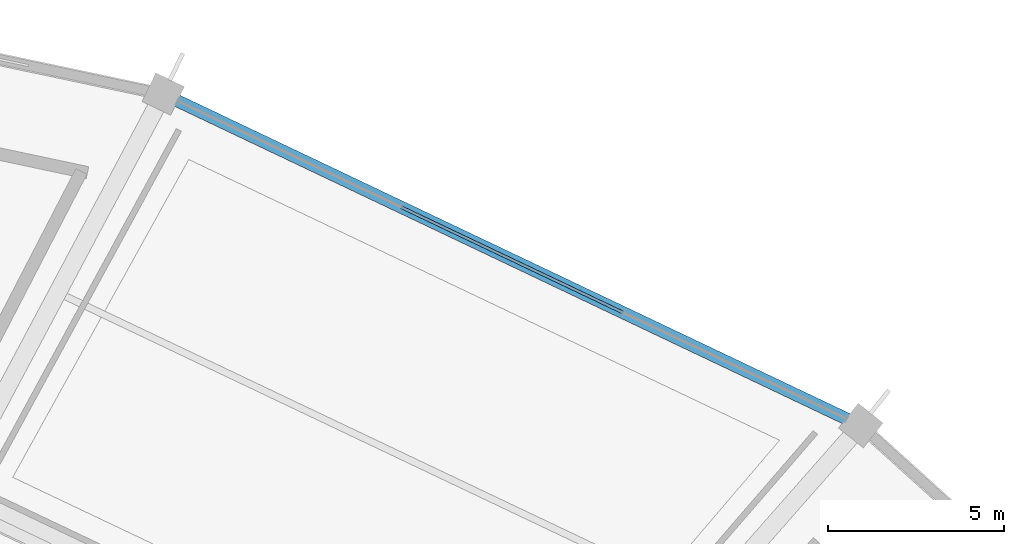
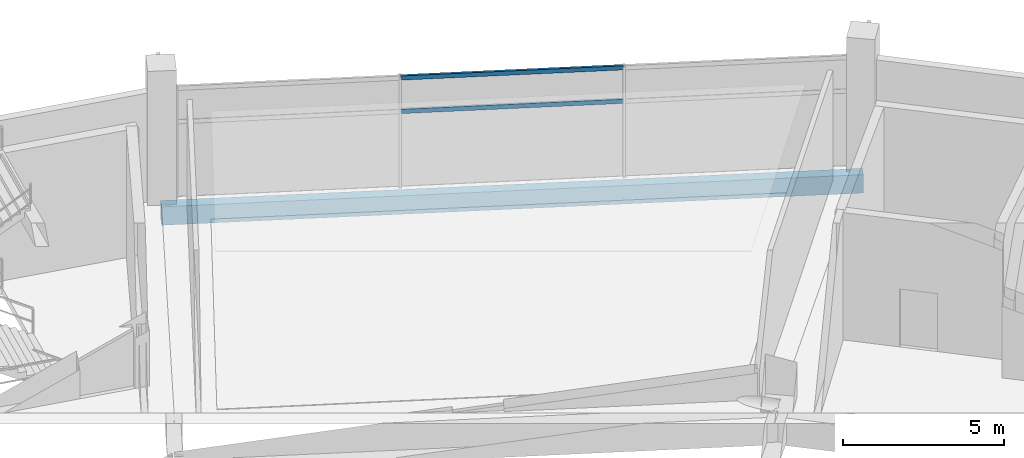
# One storey, part 135 of 184: 2 members, 1 beam, 1 element without a shape of its own.
"""IFC4 building model written with IfcOpenShell, lengths in metres."""

import ifcopenshell
import ifcopenshell.guid

model = None  # the IFC model being written
_history = None  # IfcOwnerHistory: only IFC2X3 demands one
_inside = {}  # id of a spatial element -> (the spatial element, [elements in it])
_under = {}  # id of a project, library or spatial element -> (it, [spatial elements below it])
_declared = {}  # id of a project -> (the project, [libraries it declares])
_typed = {}  # id of a type object -> (the type object, [elements of that type])
_made_of = {}  # id of a material, layer set ... -> (it, [elements and type objects made of it])


def new_model(schema):
    """Start an empty IFC model of exactly this schema.

    Asked for "IFC4X3", IfcOpenShell would pick the latest addendum, in which some entities
    have other attributes; the version numbers below select the first issue.
    IFC2X3 requires an IfcOwnerHistory on every rooted entity: one is made here for all.
    """
    global model, _history
    if schema == "IFC4X3":
        model = ifcopenshell.file(schema_version=(4, 3, 0, 0))
    else:
        model = ifcopenshell.file(schema=schema)
    _inside.clear()
    _under.clear()
    _declared.clear()
    _typed.clear()
    _made_of.clear()
    _history = None
    if model.schema == "IFC2X3":
        org = make("IfcOrganization", Name="unknown")
        user = make(
            "IfcPersonAndOrganization",
            ThePerson=make("IfcPerson", FamilyName="unknown"),
            TheOrganization=org,
        )
        app = make(
            "IfcApplication",
            ApplicationDeveloper=org,
            Version="unknown",
            ApplicationFullName="unknown",
            ApplicationIdentifier="unknown",
        )
        _history = make(
            "IfcOwnerHistory",
            OwningUser=user,
            OwningApplication=app,
            ChangeAction="ADDED",
            CreationDate=0,
        )
    return model


def make(cls, **values):
    """One entity of the class cls with the attributes given. An attribute that is None is left unset."""
    return model.create_entity(
        cls, **{name: value for name, value in values.items() if value is not None}
    )


def rooted(cls, **values):
    """An entity with a GlobalId (a new one), such as an element, a storey or a relation."""
    return make(cls, GlobalId=ifcopenshell.guid.new(), OwnerHistory=_history, **values)


def si_unit(unit_type, name, prefix=None):
    """IfcSIUnit, for example si_unit("LENGTHUNIT", "METRE", prefix="MILLI")."""
    return make("IfcSIUnit", UnitType=unit_type, Prefix=prefix, Name=name)


def assignment(units):
    """IfcUnitAssignment: the units of a project."""
    return None if units is None else make("IfcUnitAssignment", Units=units)


def point(xyz):
    """IfcCartesianPoint."""
    return None if xyz is None else make("IfcCartesianPoint", Coordinates=xyz)


def direction(xyz):
    """IfcDirection."""
    return None if xyz is None else make("IfcDirection", DirectionRatios=xyz)


def frame(location, z_axis=None, x_axis=None):
    """IfcAxis2Placement3D, a coordinate frame: its origin and axes. An axis left out is left unset."""
    return make(
        "IfcAxis2Placement3D",
        Location=point(location),
        Axis=direction(z_axis),
        RefDirection=direction(x_axis),
    )


def frame_2d(location, x_axis=None):
    """IfcAxis2Placement2D, a coordinate frame in the plane: its origin and x axis."""
    return make(
        "IfcAxis2Placement2D", Location=point(location), RefDirection=direction(x_axis)
    )


def origin():
    """The frame at (0, 0, 0) with its axes left unset."""
    return frame((0.0, 0.0, 0.0))


def origin_2d():
    """The frame at (0, 0) in the plane with its x axis left unset."""
    return frame_2d((0.0, 0.0))


def place(relative_to, where):
    """IfcLocalPlacement: puts the frame where relative to a parent placement (None: the world)."""
    return make(
        "IfcLocalPlacement", PlacementRelTo=relative_to, RelativePlacement=where
    )


def context(
    kind, dimensions, precision=None, world=None, true_north=None, identifier=None
):
    """IfcGeometricRepresentationContext, for example the 3D "Model" context."""
    return make(
        "IfcGeometricRepresentationContext",
        ContextIdentifier=identifier,
        ContextType=kind,
        CoordinateSpaceDimension=dimensions,
        Precision=precision,
        WorldCoordinateSystem=world,
        TrueNorth=true_north,
    )


def subcontext(parent, identifier, kind, view, scale=None):
    """IfcGeometricRepresentationSubContext, for example "Body" below "Model"."""
    return make(
        "IfcGeometricRepresentationSubContext",
        ContextIdentifier=identifier,
        ContextType=kind,
        ParentContext=parent,
        TargetScale=scale,
        TargetView=view,
    )


def project(units=None, contexts=None):
    """IfcProject with its units and contexts."""
    return rooted(
        "IfcProject",
        Name="project",
        RepresentationContexts=contexts,
        UnitsInContext=assignment(units),
    )


def spatial(cls, under=None, at=None, **own):
    """A site, building, storey or space (cls), placed at a placement, below another one or the project."""
    s = rooted(cls, ObjectPlacement=at, **own)
    if under is not None:
        _under.setdefault(under.id(), (under, []))[1].append(s)
    return s


def profile(cls, at=None, kind="AREA", **sizes):
    """A parametric profile (cls). Its sizes go by their IFC names, for example OverallWidth=200.0."""
    return make(cls, ProfileType=kind, Position=at, **sizes)


def rectangle(**sizes):
    """IfcRectangleProfileDef."""
    return profile("IfcRectangleProfileDef", **sizes)


def hollow_rectangle(**sizes):
    """IfcRectangleHollowProfileDef."""
    return profile("IfcRectangleHollowProfileDef", **sizes)


def extrude(swept, where, along, depth):
    """IfcExtrudedAreaSolid: the profile swept, set in the frame where, extruded along a direction by depth."""
    return make(
        "IfcExtrudedAreaSolid",
        SweptArea=swept,
        Position=where,
        ExtrudedDirection=direction(along),
        Depth=depth,
    )


def shape(context_of_items, identifier, shape_type, items):
    """IfcShapeRepresentation: the items that make up one representation, for example the "Body"."""
    return make(
        "IfcShapeRepresentation",
        ContextOfItems=context_of_items,
        RepresentationIdentifier=identifier,
        RepresentationType=shape_type,
        Items=items,
    )


def material(Name=None, Category=None):
    """IfcMaterial."""
    return make("IfcMaterial", Name=Name, Category=Category)


def layer(
    of_material, thickness, ventilated=None, Name=None, Category=None, Priority=None
):
    """IfcMaterialLayer: one layer of a wall or slab, of a material (None: an air gap)."""
    return make(
        "IfcMaterialLayer",
        Material=of_material,
        LayerThickness=thickness,
        IsVentilated=ventilated,
        Name=Name,
        Category=Category,
        Priority=Priority,
    )


def layer_set(layers, Name=None):
    """IfcMaterialLayerSet."""
    return make("IfcMaterialLayerSet", MaterialLayers=layers, LayerSetName=Name)


def material_profile(
    of_material, cross_section, Name=None, Category=None, Priority=None
):
    """IfcMaterialProfile: a cross section and its material."""
    return make(
        "IfcMaterialProfile",
        Name=Name,
        Material=of_material,
        Profile=cross_section,
        Priority=Priority,
        Category=Category,
    )


def profile_set(profiles, Name=None, composite=None):
    """IfcMaterialProfileSet."""
    return make(
        "IfcMaterialProfileSet",
        Name=Name,
        MaterialProfiles=profiles,
        CompositeProfile=composite,
    )


def made_of(thing, what):
    """Note that an element or type object is made of a material, layer set ...; save() writes the relation."""
    if what is not None:
        _made_of.setdefault(what.id(), (what, []))[1].append(thing)
    return thing


def type_object(cls, material=None, **own):
    """A type object (cls), such as IfcWallType, which elements share."""
    return made_of(rooted(cls, **own), material)


def element(
    cls,
    number,
    at=None,
    inside=None,
    cuts=None,
    type_object=None,
    material=None,
    context=None,
    identifier="Body",
    shape_type=None,
    held_by="IfcProductDefinitionShape",
    body=None,
    shapes=None,
    **own,
):
    """One element of the class cls, such as IfcWall. Its Tag is "e" and its number.

    at: its placement. inside: the storey or other place that contains it. cuts: it is an
    opening in that element (IfcRelVoidsElement). A single representation is given by context,
    identifier, shape_type and body (its items); several are given by shapes. held_by: the class
    of the entity that holds the representations. save() writes the other relations.
    """
    e = rooted(cls, Tag="e%d" % number, ObjectPlacement=at, **own)
    if body is not None:
        shapes = [shape(context, identifier, shape_type, body)]
    if shapes is not None:
        e.Representation = make(held_by, Representations=shapes)
    if inside is not None:
        _inside.setdefault(inside.id(), (inside, []))[1].append(e)
    if cuts is not None:
        rooted(
            "IfcRelVoidsElement", RelatingBuildingElement=cuts, RelatedOpeningElement=e
        )
    if type_object is not None:
        _typed.setdefault(type_object.id(), (type_object, []))[1].append(e)
    return made_of(e, material)


def aggregate(whole, parts):
    """IfcRelAggregates: a whole, such as a stair, and the parts it consists of."""
    return rooted("IfcRelAggregates", RelatingObject=whole, RelatedObjects=parts)


def save(model, path):
    """Write the relations noted so far, then the file.

    IfcRelAggregates (storeys below a building ...), IfcRelContainedInSpatialStructure (elements
    in a storey), IfcRelDefinesByType, IfcRelAssociatesMaterial and IfcRelDeclares: one each for
    every whole, place, type object, material and project.
    """
    for whole, parts in _under.values():
        aggregate(whole, parts)
    for where, things in _inside.values():
        rooted(
            "IfcRelContainedInSpatialStructure",
            RelatedElements=things,
            RelatingStructure=where,
        )
    for kind, things in _typed.values():
        rooted("IfcRelDefinesByType", RelatedObjects=things, RelatingType=kind)
    for what, things in _made_of.values():
        rooted("IfcRelAssociatesMaterial", RelatedObjects=things, RelatingMaterial=what)
    for by, libraries in _declared.values():
        rooted("IfcRelDeclares", RelatingContext=by, RelatedDefinitions=libraries)
    model.write(path)


model = new_model("IFC4")

# Units and contexts
model_context = context("Model", 3, precision=1e-05, world=origin(), true_north=direction((0.0, 1.0)))
body_context = subcontext(model_context, "Body", "Model", "MODEL_VIEW")
ifc_project = project(units=[si_unit("LENGTHUNIT", "METRE"), si_unit("AREAUNIT", "SQUARE_METRE"), si_unit("VOLUMEUNIT", "CUBIC_METRE"), si_unit("PLANEANGLEUNIT", "RADIAN"), si_unit("MASSUNIT", "GRAM", prefix="KILO")], contexts=[model_context])

# Site, building, storey
site_placement = place(None, origin())
site = spatial("IfcSite", under=ifc_project, at=site_placement, CompositionType="ELEMENT")
building_placement = place(site_placement, origin())
building = spatial("IfcBuilding", under=site, at=building_placement, Name="Kazemori Nagisa Stadium", CompositionType="ELEMENT")
storey_placement = place(building_placement, frame((0.0, 0.0, 10.5400390625)))
storey = spatial("IfcBuildingStorey", under=building, at=storey_placement, Name="L02", CompositionType="ELEMENT", Elevation=10.5400390625)

# Beam
ifc_material_1 = material(Name="Concrete C40/50 (Fc42)", Category="concrete")
ifc_material_profile_1 = material_profile(ifc_material_1, rectangle(XDim=0.35009765625, YDim=0.699951171875, at=origin_2d()), Name="RC-SP-350x700")
ifc_profile_set_1 = profile_set([ifc_material_profile_1], Name="Concrete C40/50 (Fc42)")
beam_type = type_object("IfcBeamType", Name="Beam_BS-RC350X700", PredefinedType="SPANDREL", material=ifc_profile_set_1)
beam_placement = place(storey_placement, frame((185.597900390625, 173.05908203125, -0.610107421875), z_axis=(-0.903215644095, 0.429187022475, 0.0), x_axis=(-0.429187022475, -0.903215644095, 0.0)))
element("IfcBeam", 1, at=beam_placement, inside=storey, type_object=beam_type, Name="Ring girder BS-RC350X700 L02 R3-05", PredefinedType="SPANDREL", context=body_context, shape_type="SweptSolid", body=[
    extrude(rectangle(XDim=0.35009765625, YDim=0.699951171875, at=origin_2d()), origin(), (0.0, 0.0, 1.0), 21.9140625),
])

# Curtain wall, members
ifc_material_2 = material(Name="Anodised aluminium 6063-T5", Category="aluminium")
ifc_layer = layer(ifc_material_2, 0.2099609375, Name="Anodised aluminium 6063-T5", Category="aluminium")
ifc_layer_set = layer_set([ifc_layer], Name="Anodised aluminium 6063-T5")
curtain_wall_type = type_object("IfcCurtainWallType", Name="CW_L02R3_105", PredefinedType="USERDEFINED", material=ifc_layer_set)
curtain_wall_placement = place(storey_placement, origin())
curtain_wall = element("IfcCurtainWall", 2, at=curtain_wall_placement, inside=storey, type_object=curtain_wall_type, Name="Unitised curtain wall CW-L02R3-105 L02", ObjectType="UNITISED CURTAIN WALL", PredefinedType="USERDEFINED")
ifc_material_3 = material(Name="Aluminium 6063-T5 anodised", Category="aluminium")
ifc_material_profile_2 = material_profile(ifc_material_3, hollow_rectangle(XDim=0.080078125, YDim=0.159912109375, WallThickness=0.00390625, at=origin_2d()), Name="ALU-TRAN-80x160x4")
ifc_profile_set_2 = profile_set([ifc_material_profile_2], Name="Aluminium 6063-T5 anodised")
member_type = type_object("IfcMemberType", Name="Transom_T02", PredefinedType="USERDEFINED", material=ifc_profile_set_2)
member_1_placement = place(storey_placement, frame((178.839111328125, 176.2705078125, 2.84912109375), z_axis=(-0.903207701329, 0.429203737473, 0.0), x_axis=(-0.429203737473, -0.903207701329, 0.0)))
member_1 = element("IfcMember", 3, at=member_1_placement, type_object=member_type, Name="Curtain wall transom CW-L02R3-105-T2-mid", ObjectType="TRANSOM", PredefinedType="USERDEFINED", context=body_context, shape_type="SweptSolid", body=[
    extrude(hollow_rectangle(XDim=0.080078125, YDim=0.159912109375, WallThickness=0.00390625, at=origin_2d()), origin(), (0.0, 0.0, 1.0), 6.9482421875),
])
member_2_placement = place(storey_placement, frame((178.839111328125, 176.2705078125, 4.119873046875), z_axis=(-0.903207701329, 0.429203737473, 0.0), x_axis=(-0.429203737473, -0.903207701329, 0.0)))
member_2 = element("IfcMember", 4, at=member_2_placement, type_object=member_type, Name="Curtain wall transom CW-L02R3-105-T2-head", ObjectType="TRANSOM", PredefinedType="USERDEFINED", context=body_context, shape_type="SweptSolid", body=[
    extrude(hollow_rectangle(XDim=0.080078125, YDim=0.159912109375, WallThickness=0.00390625, at=origin_2d()), origin(), (0.0, 0.0, 1.0), 6.9482421875),
])
aggregate(curtain_wall, [member_1, member_2])

save(model, "model.ifc")
